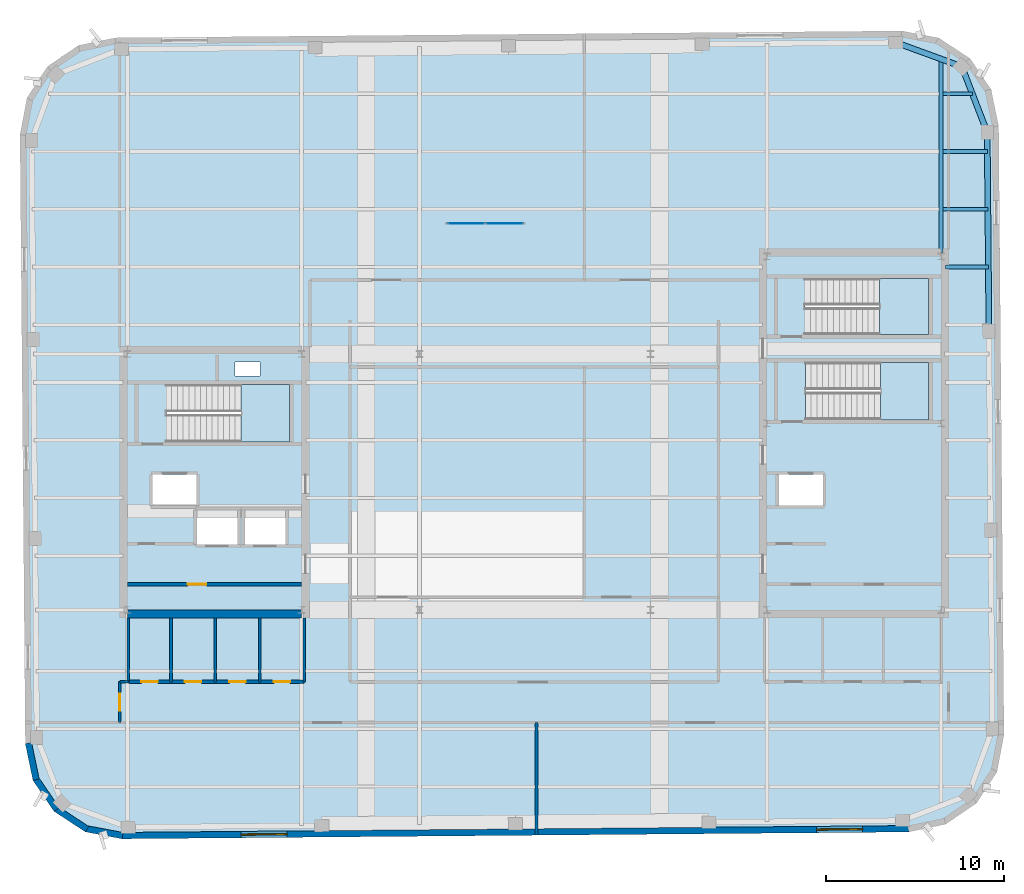
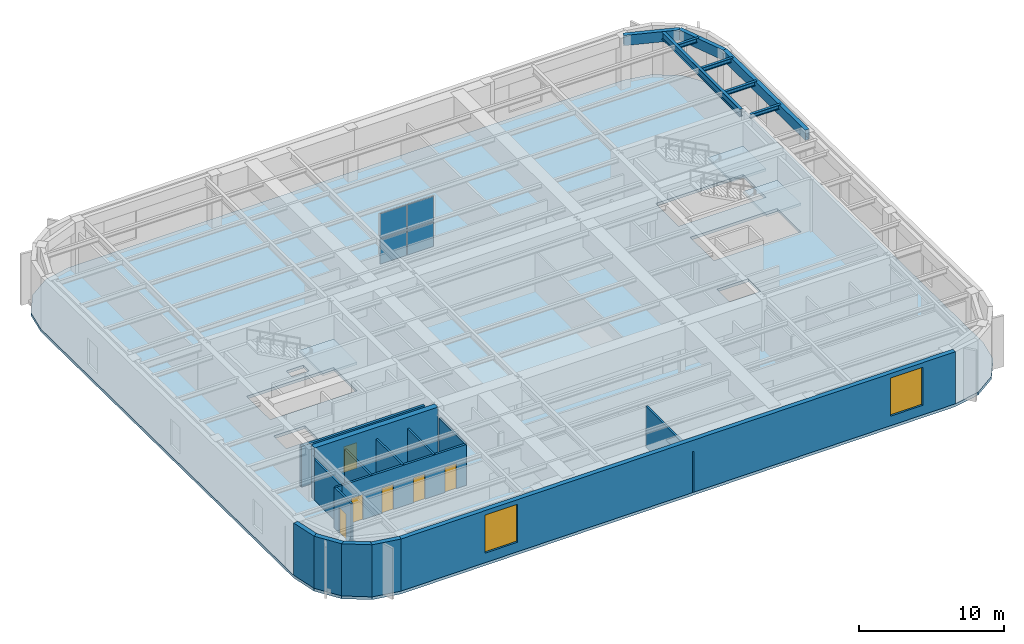
# One storey, part 7 of 14: 16 walls, 8 beams, 6 doors, 4 plates, 4 slabs, 2 windows, 8 openings, 4 elements without a shape of their own.
"""IFC4 building model written with IfcOpenShell, lengths in metres."""

from ifc_helpers import new_model, si_unit, direction, frame, frame_2d, origin, origin_2d, place, context, subcontext, project, spatial, polyline, rectangle, hollow_rectangle, i_section, outline, extrude, material, layer, layer_set, material_profile, profile_set, type_object, element, fill, aggregate, save


model = new_model("IFC4")

# Units and contexts
model_context = context("Model", 3, precision=1e-05, world=origin(), true_north=direction((0.0, 1.0)))
body_context = subcontext(model_context, "Body", "Model", "MODEL_VIEW")
ifc_project = project(units=[si_unit("LENGTHUNIT", "METRE"), si_unit("AREAUNIT", "SQUARE_METRE"), si_unit("VOLUMEUNIT", "CUBIC_METRE"), si_unit("PLANEANGLEUNIT", "RADIAN"), si_unit("MASSUNIT", "GRAM", prefix="KILO")], contexts=[model_context])

# Site, building, storey
site_placement = place(None, origin())
site = spatial("IfcSite", under=ifc_project, at=site_placement, CompositionType="ELEMENT")
building_placement = place(site_placement, origin())
building = spatial("IfcBuilding", under=site, at=building_placement, Name="Kolvaren Arena Tower", CompositionType="ELEMENT")
storey_placement = place(building_placement, frame((0.0, 0.0, 317.199951171875)))
storey = spatial("IfcBuildingStorey", under=building, at=storey_placement, Name="L78", CompositionType="ELEMENT", Elevation=317.199951171875)

# Beams
ifc_material_1 = material(Name="Steel CSA G40.21 350W", Category="steel")
ifc_material_profile_1 = material_profile(ifc_material_1, i_section(OverallWidth=0.22802734375, OverallDepth=0.615966796875, WebThickness=0.013916015625, FlangeThickness=0.02490234375, FilletRadius=0.014892578125, at=origin_2d()), Name="W610x174")
ifc_profile_set_1 = profile_set([ifc_material_profile_1], Name="Steel CSA G40.21 350W")
beam_type_1 = type_object("IfcBeamType", Name="GIRD-T3", PredefinedType="BEAM", material=ifc_profile_set_1)
beam_1_placement = place(storey_placement, frame((60.35009765625, 39.554931640625, 4.072021484375), z_axis=(0.0, 1.0, 0.0), x_axis=(-1.0, 0.0, 0.0)))
element("IfcBeam", 1, at=beam_1_placement, inside=storey, type_object=beam_type_1, Name="Primary Floor Girder (L78)", PredefinedType="BEAM", context=body_context, shape_type="SweptSolid", body=[
    extrude(i_section(OverallWidth=0.22802734375, OverallDepth=0.615966796875, WebThickness=0.013916015625, FlangeThickness=0.02490234375, FilletRadius=0.014892578125, at=origin_2d()), origin(), (0.0, 0.0, 1.0), 10.90625),
])
ifc_material_profile_2 = material_profile(ifc_material_1, i_section(OverallWidth=0.202880859375, OverallDepth=0.346923828125, WebThickness=0.0078125, FlangeThickness=0.013427734375, FilletRadius=0.010986328125, at=origin_2d()), Name="W360x64")
ifc_profile_set_2 = profile_set([ifc_material_profile_2], Name="Steel CSA G40.21 350W")
beam_type_2 = type_object("IfcBeamType", Name="JOIST-01", PredefinedType="JOIST", material=ifc_profile_set_2)
beam_2_placement = place(storey_placement, frame((60.594970703125, 38.75, 4.20654296875), z_axis=(1.0, 0.0, 0.0), x_axis=(0.0, 1.0, 0.0)))
element("IfcBeam", 2, at=beam_2_placement, inside=storey, type_object=beam_type_2, Name="Composite Floor Joist (L78)", PredefinedType="JOIST", context=body_context, shape_type="SweptSolid", body=[
    extrude(i_section(OverallWidth=0.202880859375, OverallDepth=0.346923828125, WebThickness=0.0078125, FlangeThickness=0.013427734375, FilletRadius=0.010986328125, at=origin_2d()), origin(), (0.0, 0.0, 1.0), 2.423583984375),
])
beam_3_placement = place(storey_placement, frame((60.464111328125, 42.0, 4.20654296875), z_axis=(1.0, 0.0, 0.0), x_axis=(0.0, 1.0, 0.0)))
element("IfcBeam", 3, at=beam_3_placement, inside=storey, type_object=beam_type_2, Name="Composite Floor Joist (L78)", PredefinedType="JOIST", context=body_context, shape_type="SweptSolid", body=[
    extrude(i_section(OverallWidth=0.202880859375, OverallDepth=0.346923828125, WebThickness=0.0078125, FlangeThickness=0.013427734375, FilletRadius=0.010986328125, at=origin_2d()), origin(), (0.0, 0.0, 1.0), 2.526123046875),
])
beam_4_placement = place(storey_placement, frame((60.464111328125, 45.25, 4.20654296875), z_axis=(1.0, 0.0, 0.0), x_axis=(0.0, 1.0, 0.0)))
element("IfcBeam", 4, at=beam_4_placement, inside=storey, type_object=beam_type_2, Name="Composite Floor Joist (L78)", PredefinedType="JOIST", context=body_context, shape_type="SweptSolid", body=[
    extrude(i_section(OverallWidth=0.202880859375, OverallDepth=0.346923828125, WebThickness=0.0078125, FlangeThickness=0.013427734375, FilletRadius=0.010986328125, at=origin_2d()), origin(), (0.0, 0.0, 1.0), 2.497802734375),
])
beam_5_placement = place(storey_placement, frame((60.464111328125, 48.5, 4.20654296875), z_axis=(1.0, 0.0, 0.0), x_axis=(0.0, 1.0, 0.0)))
element("IfcBeam", 5, at=beam_5_placement, inside=storey, type_object=beam_type_2, Name="Composite Floor Joist (L78)", PredefinedType="JOIST", context=body_context, shape_type="SweptSolid", body=[
    extrude(i_section(OverallWidth=0.202880859375, OverallDepth=0.346923828125, WebThickness=0.0078125, FlangeThickness=0.013427734375, FilletRadius=0.010986328125, at=origin_2d()), origin(), (0.0, 0.0, 1.0), 1.654296875),
])
ifc_material_2 = material(Name="Steel CSA G40.21 350WT", Category="steel")
ifc_material_profile_3 = material_profile(ifc_material_2, hollow_rectangle(XDim=0.320068359375, YDim=0.860107421875, WallThickness=0.01806640625, at=origin_2d()), Name="HSS 860x320x18")
ifc_profile_set_3 = profile_set([ifc_material_profile_3], Name="Steel CSA G40.21 350WT")
beam_type_3 = type_object("IfcBeamType", Name="SPAND-02", PredefinedType="SPANDREL", material=ifc_profile_set_3)
beam_6_placement = place(storey_placement, frame((63.050048828125, 35.134521484375, 3.949951171875), z_axis=(-0.008719394723, 0.999961985355, 0.0), x_axis=(-0.999961985355, -0.008719394723, 0.0)))
element("IfcBeam", 6, at=beam_6_placement, inside=storey, type_object=beam_type_3, Name="Perimeter Spandrel Beam (L78)", PredefinedType="SPANDREL", context=body_context, shape_type="SweptSolid", body=[
    extrude(hollow_rectangle(XDim=0.320068359375, YDim=0.860107421875, WallThickness=0.01806640625, at=origin_2d()), origin(), (0.0, 0.0, 1.0), 11.199951171875),
])
for number, where, z_axis, x_axis, name in (
    (7, (62.952392578125, 46.333984375, 3.949951171875), (-0.359383792094, 0.933189846698, 0.0), (-0.933189846698, -0.359383792094, 0.0), "Perimeter Spandrel Beam (L78)"),
    (8, (61.52880859375, 50.030517578125, 3.949951171875), (-0.939313819882, 0.343059102458, 0.0), (-0.343059102458, -0.939313819882, 0.0), "Perimeter Spandrel Beam (L78)"),
):
    element("IfcBeam", number, at=place(storey_placement, frame(where, z_axis=z_axis, x_axis=x_axis)), inside=storey, type_object=beam_type_3, Name=name, PredefinedType="SPANDREL", context=body_context, shape_type="SweptSolid", body=[
        extrude(hollow_rectangle(XDim=0.320068359375, YDim=0.860107421875, WallThickness=0.01806640625, at=origin_2d()), origin(), (0.0, 0.0, 1.0), 3.961181640625),
    ])

# Curtain wall, plates
ifc_material_3 = material(Name="Anodised aluminium unitised curtain wall", Category="aluminium")
curtain_wall_type = type_object("IfcCurtainWallType", Name="CW-SYS-06", PredefinedType="USERDEFINED", material=ifc_material_3)
curtain_wall_placement = place(storey_placement, origin())
curtain_wall = element("IfcCurtainWall", 9, at=curtain_wall_placement, inside=storey, type_object=curtain_wall_type, Name="Wintergarden Glazed Curtain Wall (L78)", ObjectType="UNITISED CURTAIN WALL", PredefinedType="USERDEFINED")
ifc_material_4 = material(Name="Triple-silver low-E insulated glazing unit", Category="glass")
ifc_layer_1 = layer(ifc_material_4, 0.0439453125)
ifc_layer_set_1 = layer_set([ifc_layer_1], Name="Triple-silver low-E insulated glazing unit")
plate_type = type_object("IfcPlateType", Name="CWP-VIS1", PredefinedType="CURTAIN_PANEL", material=ifc_layer_set_1)
plate_1_placement = place(storey_placement, frame((33.6201171875, 41.199951171875, 0.080078125), z_axis=(0.0, 0.0, 1.0), x_axis=(1.0, 0.0, 0.0)))
plate_1 = element("IfcPlate", 10, at=plate_1_placement, type_object=plate_type, Name="CW6 panel 1.1", PredefinedType="CURTAIN_PANEL", context=body_context, shape_type="SweptSolid", body=[
    extrude(rectangle(XDim=2.080078125, YDim=0.0439453125, at=origin_2d()), origin(), (0.0, 0.0, 1.0), 2.070068359375),
])
plate_2_placement = place(storey_placement, frame((33.6201171875, 41.199951171875, 2.22998046875), z_axis=(0.0, 0.0, 1.0), x_axis=(1.0, 0.0, 0.0)))
plate_2 = element("IfcPlate", 11, at=plate_2_placement, type_object=plate_type, Name="CW6 panel 1.2", PredefinedType="CURTAIN_PANEL", context=body_context, shape_type="SweptSolid", body=[
    extrude(rectangle(XDim=2.080078125, YDim=0.0439453125, at=origin_2d()), origin(), (0.0, 0.0, 1.0), 2.070068359375),
])
plate_3_placement = place(storey_placement, frame((35.780029296875, 41.199951171875, 0.080078125), z_axis=(0.0, 0.0, 1.0), x_axis=(1.0, 0.0, 0.0)))
plate_3 = element("IfcPlate", 12, at=plate_3_placement, type_object=plate_type, Name="CW6 panel 2.1", PredefinedType="CURTAIN_PANEL", context=body_context, shape_type="SweptSolid", body=[
    extrude(rectangle(XDim=2.080078125, YDim=0.0439453125, at=origin_2d()), origin(), (0.0, 0.0, 1.0), 2.070068359375),
])
plate_4_placement = place(storey_placement, frame((35.780029296875, 41.199951171875, 2.22998046875), z_axis=(0.0, 0.0, 1.0), x_axis=(1.0, 0.0, 0.0)))
plate_4 = element("IfcPlate", 13, at=plate_4_placement, type_object=plate_type, Name="CW6 panel 2.2", PredefinedType="CURTAIN_PANEL", context=body_context, shape_type="SweptSolid", body=[
    extrude(rectangle(XDim=2.080078125, YDim=0.0439453125, at=origin_2d()), origin(), (0.0, 0.0, 1.0), 2.070068359375),
])
aggregate(curtain_wall, [plate_1, plate_2, plate_3, plate_4])

# Stair, slab
ifc_material_5 = material(Name="Concrete 45 MPa", Category="concrete")
stair_type_1 = type_object("IfcStairType", Name="STAIR-CORE-165", PredefinedType="HALF_TURN_STAIR", material=ifc_material_5)
stair_1_placement = place(storey_placement, origin())
stair_1 = element("IfcStair", 14, at=stair_1_placement, inside=storey, type_object=stair_type_1, Name="L78 ST-W1", PredefinedType="HALF_TURN_STAIR")
ifc_layer_2 = layer(ifc_material_5, 0.199951171875)
ifc_layer_set_2 = layer_set([ifc_layer_2], Name="Concrete 45 MPa")
slab_type_1 = type_object("IfcSlabType", Name="SLAB-LAND", PredefinedType="LANDING", material=ifc_layer_set_2)
slab_1_placement = place(storey_placement, frame((0.0, 0.0, 2.199951171875)))
slab_1 = element("IfcSlab", 15, at=slab_1_placement, type_object=slab_type_1, Name="ST-W1 landing 1", PredefinedType="LANDING", context=body_context, shape_type="SweptSolid", body=[
    extrude(outline(polyline([(20.931884765625, 28.89990234375), (23.659912109375, 28.89990234375), (23.659912109375, 32.1298828125), (20.931884765625, 32.1298828125), (20.931884765625, 28.89990234375)])), origin(), (0.0, 0.0, 1.0), 0.2001953125),
])
aggregate(stair_1, [slab_1])

stair_2_placement = place(storey_placement, origin())
stair_2 = element("IfcStair", 16, at=stair_2_placement, inside=storey, type_object=stair_type_1, Name="L78 ST-E1", PredefinedType="HALF_TURN_STAIR")
slab_2_placement = place(storey_placement, frame((0.0, 0.0, 2.199951171875)))
slab_2 = element("IfcSlab", 17, at=slab_2_placement, type_object=slab_type_1, Name="ST-E1 landing 1", PredefinedType="LANDING", context=body_context, shape_type="SweptSolid", body=[
    extrude(outline(polyline([(56.931884765625, 30.14990234375), (59.659912109375, 30.14990234375), (59.659912109375, 33.3798828125), (56.931884765625, 33.3798828125), (56.931884765625, 30.14990234375)])), origin(), (0.0, 0.0, 1.0), 0.2001953125),
])
aggregate(stair_2, [slab_2])

stair_type_2 = type_object("IfcStairType", Name="STAIR-CORE-150", PredefinedType="HALF_TURN_STAIR", material=ifc_material_5)
stair_3_placement = place(storey_placement, origin())
stair_3 = element("IfcStair", 18, at=stair_3_placement, inside=storey, type_object=stair_type_2, Name="L78 ST-E2", PredefinedType="HALF_TURN_STAIR")
slab_3_placement = place(storey_placement, frame((0.0, 0.0, 2.199951171875)))
slab_3 = element("IfcSlab", 19, at=slab_3_placement, type_object=slab_type_1, Name="ST-E2 landing 1", PredefinedType="LANDING", context=body_context, shape_type="SweptSolid", body=[
    extrude(outline(polyline([(56.89208984375, 34.949951171875), (59.659912109375, 34.949951171875), (59.659912109375, 38.10009765625), (56.89208984375, 38.10009765625), (56.89208984375, 34.949951171875)])), origin(), (0.0, 0.0, 1.0), 0.2001953125),
])
aggregate(stair_3, [slab_3])

# Slab
ifc_material_6 = material(Name="Concrete 50 MPa", Category="concrete")
ifc_layer_3 = layer(ifc_material_6, 0.239990234375)
ifc_layer_set_3 = layer_set([ifc_layer_3], Name="Concrete 50 MPa")
slab_type_2 = type_object("IfcSlabType", Name="SLAB-OBS", PredefinedType="FLOOR", material=ifc_layer_set_3)
slab_4_placement = place(storey_placement, frame((0.0, 0.0, -0.239990234375)))
element("IfcSlab", 20, at=slab_4_placement, inside=storey, type_object=slab_type_2, Name="L78 Primary Structural Slab", PredefinedType="FLOOR", context=body_context, shape_type="SweptSolid", body=[
    extrude(outline(polyline([(58.5458984375, 6.944091796875), (60.60888671875, 7.373291015625), (62.350341796875, 8.55908203125), (63.505615234375, 10.321044921875), (63.898681640625, 12.39111328125), (63.599365234375, 46.689697265625), (63.170166015625, 48.752685546875), (61.984375, 50.494140625), (60.222412109375, 51.6494140625), (58.15234375, 52.04248046875), (13.85400390625, 51.65576171875), (11.791259765625, 51.226806640625), (10.049560546875, 50.041015625), (8.894287109375, 48.27880859375), (8.50146484375, 46.208984375), (8.80078125, 11.91015625), (9.229736328125, 9.847412109375), (10.41552734375, 8.105712890625), (12.177490234375, 6.95068359375), (14.24755859375, 6.5576171875), (58.5458984375, 6.944091796875)]), holes=[polyline([(20.739990234375, 23.135009765625), (18.4599609375, 23.135009765625), (18.4599609375, 25.06494140625), (20.739990234375, 25.06494140625), (20.739990234375, 23.135009765625)]), polyline([(23.43994140625, 23.135009765625), (21.159912109375, 23.135009765625), (21.159912109375, 25.06494140625), (23.43994140625, 25.06494140625), (23.43994140625, 23.135009765625)]), polyline([(18.43994140625, 25.3349609375), (15.9599609375, 25.3349609375), (15.9599609375, 27.06494140625), (18.43994140625, 27.06494140625), (18.43994140625, 25.3349609375)]), polyline([(53.699951171875, 25.3349609375), (51.219970703125, 25.3349609375), (51.219970703125, 27.06494140625), (53.699951171875, 27.06494140625), (53.699951171875, 25.3349609375)]), polyline([(23.659912109375, 28.89990234375), (16.735107421875, 28.89990234375), (16.735107421875, 32.1298828125), (23.659912109375, 32.1298828125), (23.659912109375, 28.89990234375)]), polyline([(59.659912109375, 30.14990234375), (52.735107421875, 30.14990234375), (52.735107421875, 33.3798828125), (59.659912109375, 33.3798828125), (59.659912109375, 30.14990234375)]), polyline([(22.0, 32.6201171875), (20.60009765625, 32.6201171875), (20.60009765625, 33.39990234375), (22.0, 33.39990234375), (22.0, 32.6201171875)]), polyline([(59.659912109375, 34.949951171875), (52.695068359375, 34.949951171875), (52.695068359375, 38.10009765625), (59.659912109375, 38.10009765625), (59.659912109375, 34.949951171875)])]), origin(), (0.0, 0.0, 1.0), 0.239990234375),
])

# Walls
ifc_material_7 = material(Name="Gypsum board acoustic assembly", Category="gypsum")
ifc_layer_4 = layer(ifc_material_7, 0.159912109375)
ifc_layer_set_4 = layer_set([ifc_layer_4], Name="Gypsum board acoustic assembly")
wall_type_1 = type_object("IfcWallType", Name="CORR-160", PredefinedType="PARTITIONING", material=ifc_layer_set_4)
wall_1_placement = place(storey_placement, frame((14.1201171875, 15.39990234375, 0.0), z_axis=(0.0, 0.0, 1.0), x_axis=(1.0, 0.0, 0.0)))
element("IfcWall", 21, at=wall_1_placement, inside=storey, type_object=wall_type_1, Name="Interior Partition Wall (L78)", PredefinedType="PARTITIONING", context=body_context, shape_type="SweptSolid", body=[
    extrude(rectangle(XDim=0.5, YDim=0.159912109375, at=frame_2d((0.25, 0.0))), origin(), (0.0, 0.0, 1.0), 3.43994140625),
])
wall_2_placement = place(storey_placement, frame((37.570068359375, 6.760986328125, 0.0), z_axis=(0.0, 0.0, 1.0), x_axis=(0.0, 1.0, 0.0)))
element("IfcWall", 22, at=wall_2_placement, inside=storey, type_object=wall_type_1, Name="Interior Partition Wall (L78)", PredefinedType="PARTITIONING", context=body_context, shape_type="SweptSolid", body=[
    extrude(rectangle(XDim=6.339111328125, YDim=0.159912109375, at=frame_2d((3.16943359375, 0.0))), origin(), (0.0, 0.0, 1.0), 3.43994140625),
])

# Wall, opening, door
wall_3_placement = place(storey_placement, frame((14.1201171875, 13.1201171875, 0.0), z_axis=(0.0, 0.0, 1.0), x_axis=(0.0, 1.0, 0.0)))
wall_3 = element("IfcWall", 23, at=wall_3_placement, inside=storey, type_object=wall_type_1, Name="Interior Partition Wall (L78)", PredefinedType="PARTITIONING", context=body_context, shape_type="SweptSolid", body=[
    extrude(rectangle(XDim=2.2998046875, YDim=0.159912109375, at=frame_2d((1.14990234375, 0.0))), origin(), (0.0, 0.0, 1.0), 3.43994140625),
])
opening_1_placement = place(wall_3_placement, frame((0.64990234375, 0.0, 0.0)))
opening_1 = element("IfcOpeningElement", 24, at=opening_1_placement, cuts=wall_3, Name="Opening D05", PredefinedType="OPENING", context=body_context, shape_type="SweptSolid", body=[
    extrude(rectangle(XDim=0.949951171875, YDim=2.14990234375, at=frame_2d((0.47509765625, 1.074951171875))), frame((0.0, 0.08984375, 0.0), z_axis=(0.0, -1.0, 0.0), x_axis=(1.0, 0.0, 0.0)), (0.0, 0.0, 1.0), 0.179931640625),
])
ifc_material_8 = material(Name="Solid-core oak acoustic office door", Category="wood")
door_type_1 = type_object("IfcDoorType", Name="DOOR-OF-095", OperationType="NOTDEFINED", PredefinedType="DOOR", material=ifc_material_8)
door_1_placement = place(opening_1_placement, origin())
door_1 = element("IfcDoor", 25, at=door_1_placement, inside=storey, type_object=door_type_1, Name="West Salon Door (L78)", OperationType="SINGLE_SWING_LEFT", OverallHeight=2.14990234375, OverallWidth=0.949951171875, PredefinedType="DOOR", context=body_context, shape_type="SweptSolid", body=[
    extrude(rectangle(XDim=0.949951171875, YDim=2.14990234375, at=frame_2d((0.47509765625, 1.074951171875))), frame((0.0, 0.02490234375, 0.0), z_axis=(0.0, -1.0, 0.0), x_axis=(1.0, 0.0, 0.0)), (0.0, 0.0, 1.0), 0.050048828125),
])
fill(opening_1, door_1)

# Walls
ifc_material_9 = material(Name="Concrete 55 MPa", Category="concrete")
ifc_layer_5 = layer(ifc_material_9, 0.449951171875)
ifc_layer_set_5 = layer_set([ifc_layer_5], Name="Concrete 55 MPa")
wall_type_2 = type_object("IfcWallType", Name="CWALL-450", PredefinedType="SHEAR", material=ifc_layer_set_5)
wall_4_placement = place(storey_placement, frame((14.550048828125, 19.22509765625, -0.239990234375), z_axis=(0.0, 0.0, 1.0), x_axis=(1.0, 0.0, 0.0)))
element("IfcWall", 26, at=wall_4_placement, inside=storey, type_object=wall_type_2, Name="Core Shear Wall WC-SOUTH (L78)", PredefinedType="SHEAR", context=body_context, shape_type="SweptSolid", body=[
    extrude(rectangle(XDim=9.800048828125, YDim=0.449951171875, at=frame_2d((4.89990234375, 0.0))), origin(), (0.0, 0.0, 1.0), 4.6201171875),
])
ifc_material_10 = material(Name="Precast concrete C50/60", Category="concrete")
ifc_layer_6 = layer(ifc_material_10, 0.360107421875)
ifc_layer_set_6 = layer_set([ifc_layer_6], Name="Precast concrete C50/60")
wall_type_3 = type_object("IfcWallType", Name="EXT-PIER2", PredefinedType="SOLIDWALL", material=ifc_layer_set_6)
wall_5_placement = place(storey_placement, frame((9.406005859375, 9.884033203125, 0.0), z_axis=(0.0, 0.0, 1.0), x_axis=(-0.203685893209, 0.979036289883, 0.0)))
element("IfcWall", 27, at=wall_5_placement, inside=storey, type_object=wall_type_3, Name="Exterior Precast Masonry-Frame Wall (L78)", PredefinedType="SOLIDWALL", context=body_context, shape_type="SweptSolid", body=[
    extrude(rectangle(XDim=2.107177734375, YDim=0.360107421875, at=frame_2d((1.0537109375, 0.0))), origin(), (0.0, 0.0, 1.0), 4.380126953125),
])
for number, where, z_axis, x_axis, name in (
    (28, (10.564453125, 8.20703125, 0.0), (0.0, 0.0, 1.0), (-0.56277581689, 0.826609569219, 0.0), "Exterior Precast Masonry-Frame Wall (L78)"),
    (29, (12.2763671875, 7.10107421875, 0.0), (0.0, 0.0, 1.0), (-0.836268756678, 0.548319766745, 0.0), "Exterior Precast Masonry-Frame Wall (L78)"),
):
    element("IfcWall", number, at=place(storey_placement, frame(where, z_axis=z_axis, x_axis=x_axis)), inside=storey, type_object=wall_type_3, Name=name, PredefinedType="SOLIDWALL", context=body_context, shape_type="SweptSolid", body=[
        extrude(rectangle(XDim=2.10693359375, YDim=0.360107421875, at=frame_2d((1.053466796875, 0.0))), origin(), (0.0, 0.0, 1.0), 4.380126953125),
    ])
wall_6_placement = place(storey_placement, frame((14.28125, 6.734375, 0.0), z_axis=(0.0, 0.0, 1.0), x_axis=(-0.982445905584, 0.186547695246, 0.0)))
element("IfcWall", 30, at=wall_6_placement, inside=storey, type_object=wall_type_3, Name="Exterior Precast Masonry-Frame Wall (L78)", PredefinedType="SOLIDWALL", context=body_context, shape_type="SweptSolid", body=[
    extrude(rectangle(XDim=2.107177734375, YDim=0.360107421875, at=frame_2d((1.0537109375, 0.0))), origin(), (0.0, 0.0, 1.0), 4.380126953125),
])

# Wall, openings, windows
wall_7_placement = place(storey_placement, frame((58.544189453125, 7.124267578125, 0.0), z_axis=(0.0, 0.0, 1.0), x_axis=(-0.999961896442, -0.008729585516, 0.0)))
wall_7 = element("IfcWall", 31, at=wall_7_placement, inside=storey, type_object=wall_type_3, Name="Exterior Precast Masonry-Frame Wall (L78)", PredefinedType="SOLIDWALL", context=body_context, shape_type="SweptSolid", body=[
    extrude(rectangle(XDim=44.2998046875, YDim=0.360107421875, at=frame_2d((22.14990234375, 0.0))), origin(), (0.0, 0.0, 1.0), 4.380126953125),
])
opening_2_placement = place(wall_7_placement, frame((2.60009765625, 0.0, 0.800048828125)))
opening_2 = element("IfcOpeningElement", 32, at=opening_2_placement, cuts=wall_7, Name="Opening W06", PredefinedType="OPENING", context=body_context, shape_type="SweptSolid", body=[
    extrude(rectangle(XDim=2.60009765625, YDim=3.199951171875, at=frame_2d((1.300048828125, 1.60009765625))), frame((0.0, 0.18994140625, 0.0), z_axis=(0.0, -1.0, 0.0), x_axis=(1.0, 0.0, 0.0)), (0.0, 0.0, 1.0), 0.380126953125),
])
opening_3_placement = place(wall_7_placement, frame((35.0, 0.0, 0.800048828125)))
opening_3 = element("IfcOpeningElement", 33, at=opening_3_placement, cuts=wall_7, Name="Opening W06", PredefinedType="OPENING", context=body_context, shape_type="SweptSolid", body=[
    extrude(rectangle(XDim=2.60009765625, YDim=3.199951171875, at=frame_2d((1.300048828125, 1.60009765625))), frame((0.0, 0.18994140625, 0.0), z_axis=(0.0, -1.0, 0.0), x_axis=(1.0, 0.0, 0.0)), (0.0, 0.0, 1.0), 0.380126953125),
])
ifc_material_11 = material(Name="Triple-glazed observatory picture window", Category="glass")
window_type = type_object("IfcWindowType", Name="WIN-OBS-A", PartitioningType="DOUBLE_PANEL_VERTICAL", PredefinedType="WINDOW", material=ifc_material_11)
window_1_placement = place(opening_2_placement, origin())
window_1 = element("IfcWindow", 34, at=window_1_placement, inside=storey, type_object=window_type, Name="Punched Precast-Pier Window (L78)", OverallHeight=3.199951171875, OverallWidth=2.60009765625, PartitioningType="DOUBLE_PANEL_VERTICAL", PredefinedType="WINDOW", context=body_context, shape_type="SweptSolid", body=[
    extrude(rectangle(XDim=2.60009765625, YDim=3.199951171875, at=frame_2d((1.300048828125, 1.60009765625))), frame((0.0, 0.030029296875, 0.0), z_axis=(0.0, -1.0, 0.0), x_axis=(1.0, 0.0, 0.0)), (0.0, 0.0, 1.0), 0.06005859375),
])
fill(opening_2, window_1)
window_2_placement = place(opening_3_placement, origin())
window_2 = element("IfcWindow", 35, at=window_2_placement, inside=storey, type_object=window_type, Name="Punched Precast-Pier Window (L78)", OverallHeight=3.199951171875, OverallWidth=2.60009765625, PartitioningType="DOUBLE_PANEL_VERTICAL", PredefinedType="WINDOW", context=body_context, shape_type="SweptSolid", body=[
    extrude(rectangle(XDim=2.60009765625, YDim=3.199951171875, at=frame_2d((1.300048828125, 1.60009765625))), frame((0.0, 0.030029296875, 0.0), z_axis=(0.0, -1.0, 0.0), x_axis=(1.0, 0.0, 0.0)), (0.0, 0.0, 1.0), 0.06005859375),
])
fill(opening_3, window_2)

# Wall, opening, door
ifc_material_12 = material(Name="Concrete 40 MPa", Category="concrete")
ifc_layer_7 = layer(ifc_material_12, 0.199951171875)
ifc_layer_set_7 = layer_set([ifc_layer_7], Name="Concrete 40 MPa")
wall_type_4 = type_object("IfcWallType", Name="LOBBY-200", PredefinedType="SOLIDWALL", material=ifc_layer_set_7)
wall_8_placement = place(storey_placement, frame((14.550048828125, 20.8798828125, 0.0), z_axis=(0.0, 0.0, 1.0), x_axis=(1.0, 0.0, 0.0)))
wall_8 = element("IfcWall", 36, at=wall_8_placement, inside=storey, type_object=wall_type_4, Name="Core Shaft Wall (L78)", PredefinedType="SOLIDWALL", context=body_context, shape_type="SweptSolid", body=[
    extrude(rectangle(XDim=9.800048828125, YDim=0.199951171875, at=frame_2d((4.89990234375, 0.0))), origin(), (0.0, 0.0, 1.0), 3.43994140625),
])
opening_4_placement = place(wall_8_placement, frame((3.39990234375, 0.0, 0.0)))
opening_4 = element("IfcOpeningElement", 37, at=opening_4_placement, cuts=wall_8, Name="Opening D04", PredefinedType="OPENING", context=body_context, shape_type="SweptSolid", body=[
    extrude(rectangle(XDim=1.050048828125, YDim=2.14990234375, at=frame_2d((0.52490234375, 1.074951171875))), frame((0.0, 0.10986328125, 0.0), z_axis=(0.0, -1.0, 0.0), x_axis=(1.0, 0.0, 0.0)), (0.0, 0.0, 1.0), 0.219970703125),
])
ifc_material_13 = material(Name="Fire-rated steel lobby door", Category="steel")
door_type_2 = type_object("IfcDoorType", Name="DOOR-FF-105", OperationType="NOTDEFINED", PredefinedType="DOOR", material=ifc_material_13)
door_2_placement = place(opening_4_placement, origin())
door_2 = element("IfcDoor", 38, at=door_2_placement, inside=storey, type_object=door_type_2, Name="West IT Room Fire Door (L78)", OperationType="SINGLE_SWING_LEFT", OverallHeight=2.14990234375, OverallWidth=1.050048828125, PredefinedType="DOOR", context=body_context, shape_type="SweptSolid", body=[
    extrude(rectangle(XDim=1.050048828125, YDim=2.14990234375, at=frame_2d((0.52490234375, 1.074951171875))), frame((0.0, 0.02490234375, 0.0), z_axis=(0.0, -1.0, 0.0), x_axis=(1.0, 0.0, 0.0)), (0.0, 0.0, 1.0), 0.050048828125),
])
fill(opening_4, door_2)

# Walls
ifc_material_14 = material(Name="Moisture-resistant gypsum assembly", Category="gypsum")
ifc_layer_8 = layer(ifc_material_14, 0.14990234375)
ifc_layer_set_8 = layer_set([ifc_layer_8], Name="Moisture-resistant gypsum assembly")
wall_type_5 = type_object("IfcWallType", Name="WETW-150", PredefinedType="PARTITIONING", material=ifc_layer_set_8)
for number, where, z_axis, x_axis, name in (
    (39, (17.0, 15.39990234375, 0.0), (0.0, 0.0, 1.0), (0.0, 1.0, 0.0), "Interior Partition Wall (L78)"),
    (40, (19.5, 15.39990234375, 0.0), (0.0, 0.0, 1.0), (0.0, 1.0, 0.0), "Interior Partition Wall (L78)"),
    (41, (22.0, 15.39990234375, 0.0), (0.0, 0.0, 1.0), (0.0, 1.0, 0.0), "Interior Partition Wall (L78)"),
):
    element("IfcWall", number, at=place(storey_placement, frame(where, z_axis=z_axis, x_axis=x_axis)), inside=storey, type_object=wall_type_5, Name=name, PredefinedType="PARTITIONING", context=body_context, shape_type="SweptSolid", body=[
        extrude(rectangle(XDim=3.580078125, YDim=0.14990234375, at=frame_2d((1.7900390625, 0.0))), origin(), (0.0, 0.0, 1.0), 3.43994140625),
    ])

# Wall, openings, doors
wall_9_placement = place(storey_placement, frame((14.60009765625, 15.39990234375, 0.0), z_axis=(0.0, 0.0, 1.0), x_axis=(1.0, 0.0, 0.0)))
wall_9 = element("IfcWall", 42, at=wall_9_placement, inside=storey, type_object=wall_type_5, Name="Interior Partition Wall (L78)", PredefinedType="PARTITIONING", context=body_context, shape_type="SweptSolid", body=[
    extrude(rectangle(XDim=9.89990234375, YDim=0.179931640625, at=frame_2d((4.949951171875, 0.0))), origin(), (0.0, 0.0, 1.0), 3.43994140625),
])
opening_5_placement = place(wall_9_placement, frame((0.739990234375, 0.0, 0.0)))
opening_5 = element("IfcOpeningElement", 43, at=opening_5_placement, cuts=wall_9, Name="Opening D07", PredefinedType="OPENING", context=body_context, shape_type="SweptSolid", body=[
    extrude(rectangle(XDim=0.919921875, YDim=2.10009765625, at=frame_2d((0.4599609375, 1.050048828125))), frame((0.0, 0.099853515625, 0.0), z_axis=(0.0, -1.0, 0.0), x_axis=(1.0, 0.0, 0.0)), (0.0, 0.0, 1.0), 0.199951171875),
])
opening_6_placement = place(wall_9_placement, frame((3.18994140625, 0.0, 0.0)))
opening_6 = element("IfcOpeningElement", 44, at=opening_6_placement, cuts=wall_9, Name="Opening D07", PredefinedType="OPENING", context=body_context, shape_type="SweptSolid", body=[
    extrude(rectangle(XDim=0.919921875, YDim=2.10009765625, at=frame_2d((0.4599609375, 1.050048828125))), frame((0.0, 0.099853515625, 0.0), z_axis=(0.0, -1.0, 0.0), x_axis=(1.0, 0.0, 0.0)), (0.0, 0.0, 1.0), 0.199951171875),
])
opening_7_placement = place(wall_9_placement, frame((5.68994140625, 0.0, 0.0)))
opening_7 = element("IfcOpeningElement", 45, at=opening_7_placement, cuts=wall_9, Name="Opening D07", PredefinedType="OPENING", context=body_context, shape_type="SweptSolid", body=[
    extrude(rectangle(XDim=0.919921875, YDim=2.10009765625, at=frame_2d((0.4599609375, 1.050048828125))), frame((0.0, 0.099853515625, 0.0), z_axis=(0.0, -1.0, 0.0), x_axis=(1.0, 0.0, 0.0)), (0.0, 0.0, 1.0), 0.199951171875),
])
opening_8_placement = place(wall_9_placement, frame((8.18994140625, 0.0, 0.0)))
opening_8 = element("IfcOpeningElement", 46, at=opening_8_placement, cuts=wall_9, Name="Opening D07", PredefinedType="OPENING", context=body_context, shape_type="SweptSolid", body=[
    extrude(rectangle(XDim=0.919921875, YDim=2.10009765625, at=frame_2d((0.4599609375, 1.050048828125))), frame((0.0, 0.099853515625, 0.0), z_axis=(0.0, -1.0, 0.0), x_axis=(1.0, 0.0, 0.0)), (0.0, 0.0, 1.0), 0.199951171875),
])
ifc_material_15 = material(Name="Laminate universal washroom door", Category="wood")
door_type_3 = type_object("IfcDoorType", Name="DOOR-WC-092", OperationType="NOTDEFINED", PredefinedType="DOOR", material=ifc_material_15)
door_3_placement = place(opening_5_placement, origin())
door_3 = element("IfcDoor", 47, at=door_3_placement, inside=storey, type_object=door_type_3, Name="Cleaner and Janitor Store Door (L78)", OperationType="SINGLE_SWING_RIGHT", OverallHeight=2.10009765625, OverallWidth=0.919921875, PredefinedType="DOOR", context=body_context, shape_type="SweptSolid", body=[
    extrude(rectangle(XDim=0.919921875, YDim=2.10009765625, at=frame_2d((0.4599609375, 1.050048828125))), frame((0.0, 0.02490234375, 0.0), z_axis=(0.0, -1.0, 0.0), x_axis=(1.0, 0.0, 0.0)), (0.0, 0.0, 1.0), 0.050048828125),
])
fill(opening_5, door_3)
door_4_placement = place(opening_6_placement, origin())
door_4 = element("IfcDoor", 48, at=door_4_placement, inside=storey, type_object=door_type_3, Name="Universal Barrier-Free Washroom Door (L78)", OperationType="SINGLE_SWING_LEFT", OverallHeight=2.10009765625, OverallWidth=0.919921875, PredefinedType="DOOR", context=body_context, shape_type="SweptSolid", body=[
    extrude(rectangle(XDim=0.919921875, YDim=2.10009765625, at=frame_2d((0.4599609375, 1.050048828125))), frame((0.0, 0.02490234375, 0.0), z_axis=(0.0, -1.0, 0.0), x_axis=(1.0, 0.0, 0.0)), (0.0, 0.0, 1.0), 0.050048828125),
])
fill(opening_6, door_4)
door_5_placement = place(opening_7_placement, origin())
door_5 = element("IfcDoor", 49, at=door_5_placement, inside=storey, type_object=door_type_3, Name="Women Restroom Door (L78)", OperationType="SINGLE_SWING_RIGHT", OverallHeight=2.10009765625, OverallWidth=0.919921875, PredefinedType="DOOR", context=body_context, shape_type="SweptSolid", body=[
    extrude(rectangle(XDim=0.919921875, YDim=2.10009765625, at=frame_2d((0.4599609375, 1.050048828125))), frame((0.0, 0.02490234375, 0.0), z_axis=(0.0, -1.0, 0.0), x_axis=(1.0, 0.0, 0.0)), (0.0, 0.0, 1.0), 0.050048828125),
])
fill(opening_7, door_5)
door_6_placement = place(opening_8_placement, origin())
door_6 = element("IfcDoor", 50, at=door_6_placement, inside=storey, type_object=door_type_3, Name="Men Restroom Door (L78)", OperationType="SINGLE_SWING_LEFT", OverallHeight=2.10009765625, OverallWidth=0.919921875, PredefinedType="DOOR", context=body_context, shape_type="SweptSolid", body=[
    extrude(rectangle(XDim=0.919921875, YDim=2.10009765625, at=frame_2d((0.4599609375, 1.050048828125))), frame((0.0, 0.02490234375, 0.0), z_axis=(0.0, -1.0, 0.0), x_axis=(1.0, 0.0, 0.0)), (0.0, 0.0, 1.0), 0.050048828125),
])
fill(opening_8, door_6)

# Walls
for number, where, z_axis, x_axis, name in (
    (51, (14.60009765625, 15.39990234375, 0.0), (0.0, 0.0, 1.0), (0.0, 1.0, 0.0), "Interior Partition Wall (L78)"),
    (52, (24.5, 15.39990234375, 0.0), (0.0, 0.0, 1.0), (0.0, 1.0, 0.0), "Interior Partition Wall (L78)"),
):
    element("IfcWall", number, at=place(storey_placement, frame(where, z_axis=z_axis, x_axis=x_axis)), inside=storey, type_object=wall_type_5, Name=name, PredefinedType="PARTITIONING", context=body_context, shape_type="SweptSolid", body=[
        extrude(rectangle(XDim=3.580078125, YDim=0.14990234375, at=frame_2d((1.7900390625, 0.0))), origin(), (0.0, 0.0, 1.0), 3.43994140625),
    ])

save(model, "model.ifc")
